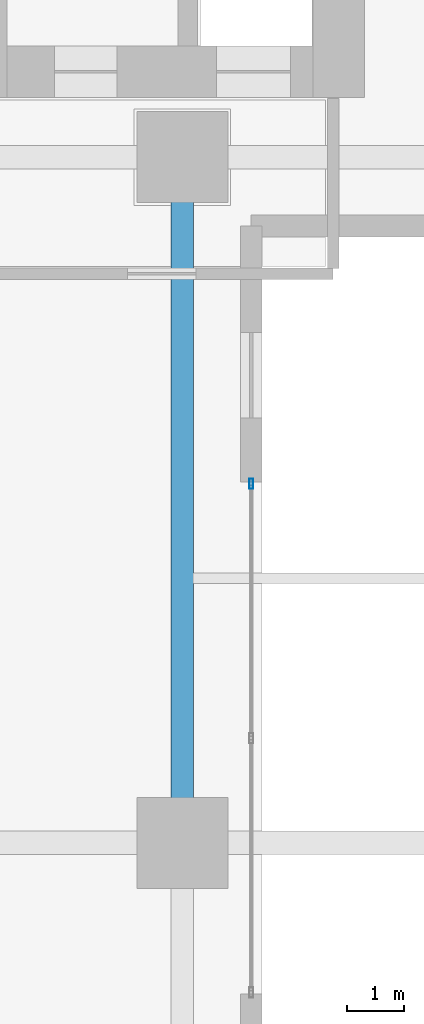
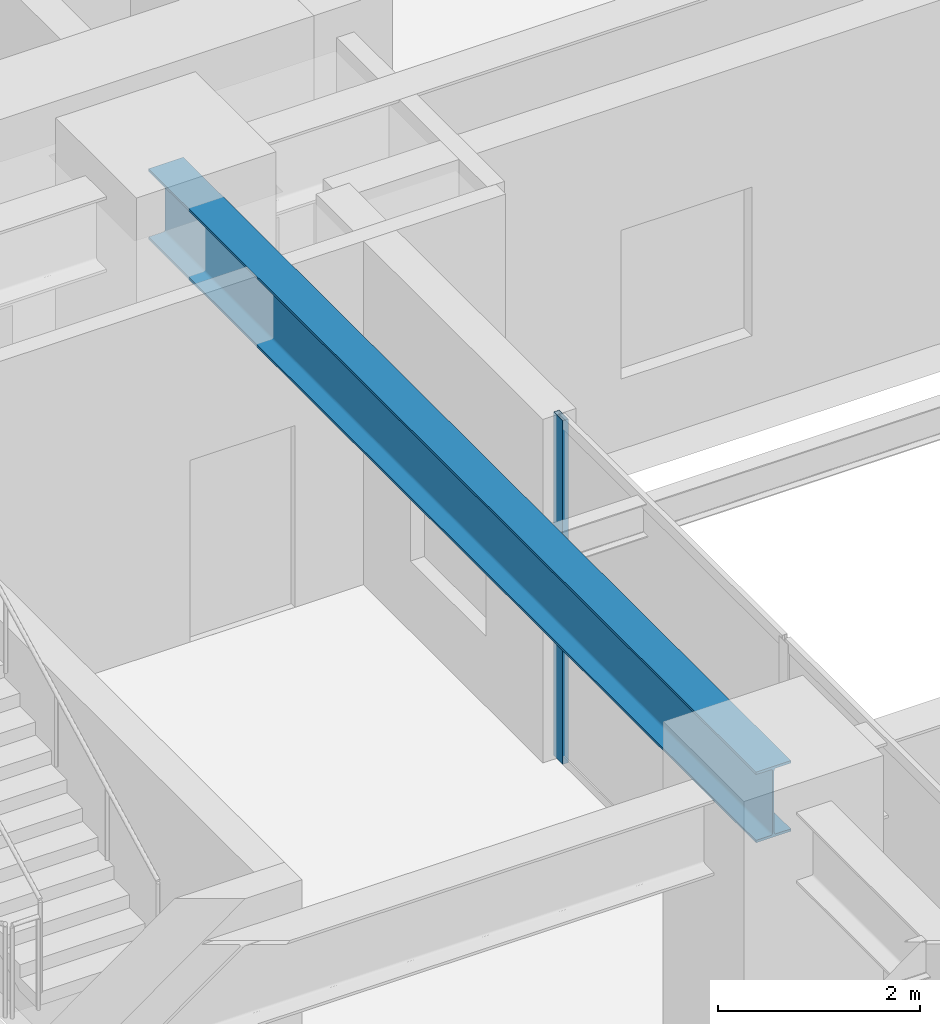
# One storey, part 3 of 28: 1 beam, 1 member, 1 element without a shape of its own.
"""IFC4 building model written with IfcOpenShell, lengths in metres."""

import ifcopenshell
import ifcopenshell.guid

model = None  # the IFC model being written
_history = None  # IfcOwnerHistory: only IFC2X3 demands one
_inside = {}  # id of a spatial element -> (the spatial element, [elements in it])
_under = {}  # id of a project, library or spatial element -> (it, [spatial elements below it])
_declared = {}  # id of a project -> (the project, [libraries it declares])
_typed = {}  # id of a type object -> (the type object, [elements of that type])
_made_of = {}  # id of a material, layer set ... -> (it, [elements and type objects made of it])


def new_model(schema):
    """Start an empty IFC model of exactly this schema.

    Asked for "IFC4X3", IfcOpenShell would pick the latest addendum, in which some entities
    have other attributes; the version numbers below select the first issue.
    IFC2X3 requires an IfcOwnerHistory on every rooted entity: one is made here for all.
    """
    global model, _history
    if schema == "IFC4X3":
        model = ifcopenshell.file(schema_version=(4, 3, 0, 0))
    else:
        model = ifcopenshell.file(schema=schema)
    _inside.clear()
    _under.clear()
    _declared.clear()
    _typed.clear()
    _made_of.clear()
    _history = None
    if model.schema == "IFC2X3":
        org = make("IfcOrganization", Name="unknown")
        user = make(
            "IfcPersonAndOrganization",
            ThePerson=make("IfcPerson", FamilyName="unknown"),
            TheOrganization=org,
        )
        app = make(
            "IfcApplication",
            ApplicationDeveloper=org,
            Version="unknown",
            ApplicationFullName="unknown",
            ApplicationIdentifier="unknown",
        )
        _history = make(
            "IfcOwnerHistory",
            OwningUser=user,
            OwningApplication=app,
            ChangeAction="ADDED",
            CreationDate=0,
        )
    return model


def make(cls, **values):
    """One entity of the class cls with the attributes given. An attribute that is None is left unset."""
    return model.create_entity(
        cls, **{name: value for name, value in values.items() if value is not None}
    )


def rooted(cls, **values):
    """An entity with a GlobalId (a new one), such as an element, a storey or a relation."""
    return make(cls, GlobalId=ifcopenshell.guid.new(), OwnerHistory=_history, **values)


def si_unit(unit_type, name, prefix=None):
    """IfcSIUnit, for example si_unit("LENGTHUNIT", "METRE", prefix="MILLI")."""
    return make("IfcSIUnit", UnitType=unit_type, Prefix=prefix, Name=name)


def assignment(units):
    """IfcUnitAssignment: the units of a project."""
    return None if units is None else make("IfcUnitAssignment", Units=units)


def point(xyz):
    """IfcCartesianPoint."""
    return None if xyz is None else make("IfcCartesianPoint", Coordinates=xyz)


def direction(xyz):
    """IfcDirection."""
    return None if xyz is None else make("IfcDirection", DirectionRatios=xyz)


def frame(location, z_axis=None, x_axis=None):
    """IfcAxis2Placement3D, a coordinate frame: its origin and axes. An axis left out is left unset."""
    return make(
        "IfcAxis2Placement3D",
        Location=point(location),
        Axis=direction(z_axis),
        RefDirection=direction(x_axis),
    )


def frame_2d(location, x_axis=None):
    """IfcAxis2Placement2D, a coordinate frame in the plane: its origin and x axis."""
    return make(
        "IfcAxis2Placement2D", Location=point(location), RefDirection=direction(x_axis)
    )


def origin():
    """The frame at (0, 0, 0) with its axes left unset."""
    return frame((0.0, 0.0, 0.0))


def origin_2d():
    """The frame at (0, 0) in the plane with its x axis left unset."""
    return frame_2d((0.0, 0.0))


def place(relative_to, where):
    """IfcLocalPlacement: puts the frame where relative to a parent placement (None: the world)."""
    return make(
        "IfcLocalPlacement", PlacementRelTo=relative_to, RelativePlacement=where
    )


def context(
    kind, dimensions, precision=None, world=None, true_north=None, identifier=None
):
    """IfcGeometricRepresentationContext, for example the 3D "Model" context."""
    return make(
        "IfcGeometricRepresentationContext",
        ContextIdentifier=identifier,
        ContextType=kind,
        CoordinateSpaceDimension=dimensions,
        Precision=precision,
        WorldCoordinateSystem=world,
        TrueNorth=true_north,
    )


def subcontext(parent, identifier, kind, view, scale=None):
    """IfcGeometricRepresentationSubContext, for example "Body" below "Model"."""
    return make(
        "IfcGeometricRepresentationSubContext",
        ContextIdentifier=identifier,
        ContextType=kind,
        ParentContext=parent,
        TargetScale=scale,
        TargetView=view,
    )


def project(units=None, contexts=None):
    """IfcProject with its units and contexts."""
    return rooted(
        "IfcProject",
        Name="project",
        RepresentationContexts=contexts,
        UnitsInContext=assignment(units),
    )


def spatial(cls, under=None, at=None, **own):
    """A site, building, storey or space (cls), placed at a placement, below another one or the project."""
    s = rooted(cls, ObjectPlacement=at, **own)
    if under is not None:
        _under.setdefault(under.id(), (under, []))[1].append(s)
    return s


def profile(cls, at=None, kind="AREA", **sizes):
    """A parametric profile (cls). Its sizes go by their IFC names, for example OverallWidth=200.0."""
    return make(cls, ProfileType=kind, Position=at, **sizes)


def hollow_rectangle(**sizes):
    """IfcRectangleHollowProfileDef."""
    return profile("IfcRectangleHollowProfileDef", **sizes)


def i_section(**sizes):
    """IfcIShapeProfileDef."""
    return profile("IfcIShapeProfileDef", **sizes)


def extrude(swept, where, along, depth):
    """IfcExtrudedAreaSolid: the profile swept, set in the frame where, extruded along a direction by depth."""
    return make(
        "IfcExtrudedAreaSolid",
        SweptArea=swept,
        Position=where,
        ExtrudedDirection=direction(along),
        Depth=depth,
    )


def shape(context_of_items, identifier, shape_type, items):
    """IfcShapeRepresentation: the items that make up one representation, for example the "Body"."""
    return make(
        "IfcShapeRepresentation",
        ContextOfItems=context_of_items,
        RepresentationIdentifier=identifier,
        RepresentationType=shape_type,
        Items=items,
    )


def source(mapping_origin, context_of_items, identifier, shape_type, items):
    """IfcRepresentationMap: a shape defined once, which mapped items show again and again."""
    return make(
        "IfcRepresentationMap",
        MappingOrigin=mapping_origin,
        MappedRepresentation=shape(context_of_items, identifier, shape_type, items),
    )


def transform(
    local_origin,
    x_axis=None,
    y_axis=None,
    z_axis=None,
    scale=None,
    scale2=None,
    scale3=None,
    uniform=True,
):
    """IfcCartesianTransformationOperator3D, or its non-uniform kind. x_axis, y_axis, z_axis: its Axis1, 2, 3."""
    if uniform:
        return make(
            "IfcCartesianTransformationOperator3D",
            Axis1=direction(x_axis),
            Axis2=direction(y_axis),
            LocalOrigin=point(local_origin),
            Scale=scale,
            Axis3=direction(z_axis),
        )
    return make(
        "IfcCartesianTransformationOperator3DnonUniform",
        Axis1=direction(x_axis),
        Axis2=direction(y_axis),
        LocalOrigin=point(local_origin),
        Scale=scale,
        Axis3=direction(z_axis),
        Scale2=scale2,
        Scale3=scale3,
    )


def mapped(mapping_source, mapping_target):
    """IfcMappedItem: shows the shape of a source again, moved by a transform."""
    return make(
        "IfcMappedItem", MappingSource=mapping_source, MappingTarget=mapping_target
    )


def material(Name=None, Category=None):
    """IfcMaterial."""
    return make("IfcMaterial", Name=Name, Category=Category)


def layer(
    of_material, thickness, ventilated=None, Name=None, Category=None, Priority=None
):
    """IfcMaterialLayer: one layer of a wall or slab, of a material (None: an air gap)."""
    return make(
        "IfcMaterialLayer",
        Material=of_material,
        LayerThickness=thickness,
        IsVentilated=ventilated,
        Name=Name,
        Category=Category,
        Priority=Priority,
    )


def layer_set(layers, Name=None):
    """IfcMaterialLayerSet."""
    return make("IfcMaterialLayerSet", MaterialLayers=layers, LayerSetName=Name)


def material_profile(
    of_material, cross_section, Name=None, Category=None, Priority=None
):
    """IfcMaterialProfile: a cross section and its material."""
    return make(
        "IfcMaterialProfile",
        Name=Name,
        Material=of_material,
        Profile=cross_section,
        Priority=Priority,
        Category=Category,
    )


def profile_set(profiles, Name=None, composite=None):
    """IfcMaterialProfileSet."""
    return make(
        "IfcMaterialProfileSet",
        Name=Name,
        MaterialProfiles=profiles,
        CompositeProfile=composite,
    )


def made_of(thing, what):
    """Note that an element or type object is made of a material, layer set ...; save() writes the relation."""
    if what is not None:
        _made_of.setdefault(what.id(), (what, []))[1].append(thing)
    return thing


def type_object(cls, material=None, **own):
    """A type object (cls), such as IfcWallType, which elements share."""
    return made_of(rooted(cls, **own), material)


def element(
    cls,
    number,
    at=None,
    inside=None,
    cuts=None,
    type_object=None,
    material=None,
    context=None,
    identifier="Body",
    shape_type=None,
    held_by="IfcProductDefinitionShape",
    body=None,
    shapes=None,
    **own,
):
    """One element of the class cls, such as IfcWall. Its Tag is "e" and its number.

    at: its placement. inside: the storey or other place that contains it. cuts: it is an
    opening in that element (IfcRelVoidsElement). A single representation is given by context,
    identifier, shape_type and body (its items); several are given by shapes. held_by: the class
    of the entity that holds the representations. save() writes the other relations.
    """
    e = rooted(cls, Tag="e%d" % number, ObjectPlacement=at, **own)
    if body is not None:
        shapes = [shape(context, identifier, shape_type, body)]
    if shapes is not None:
        e.Representation = make(held_by, Representations=shapes)
    if inside is not None:
        _inside.setdefault(inside.id(), (inside, []))[1].append(e)
    if cuts is not None:
        rooted(
            "IfcRelVoidsElement", RelatingBuildingElement=cuts, RelatedOpeningElement=e
        )
    if type_object is not None:
        _typed.setdefault(type_object.id(), (type_object, []))[1].append(e)
    return made_of(e, material)


def aggregate(whole, parts):
    """IfcRelAggregates: a whole, such as a stair, and the parts it consists of."""
    return rooted("IfcRelAggregates", RelatingObject=whole, RelatedObjects=parts)


def save(model, path):
    """Write the relations noted so far, then the file.

    IfcRelAggregates (storeys below a building ...), IfcRelContainedInSpatialStructure (elements
    in a storey), IfcRelDefinesByType, IfcRelAssociatesMaterial and IfcRelDeclares: one each for
    every whole, place, type object, material and project.
    """
    for whole, parts in _under.values():
        aggregate(whole, parts)
    for where, things in _inside.values():
        rooted(
            "IfcRelContainedInSpatialStructure",
            RelatedElements=things,
            RelatingStructure=where,
        )
    for kind, things in _typed.values():
        rooted("IfcRelDefinesByType", RelatedObjects=things, RelatingType=kind)
    for what, things in _made_of.values():
        rooted("IfcRelAssociatesMaterial", RelatedObjects=things, RelatingMaterial=what)
    for by, libraries in _declared.values():
        rooted("IfcRelDeclares", RelatingContext=by, RelatedDefinitions=libraries)
    model.write(path)


model = new_model("IFC4")

# Units and contexts
model_context = context("Model", 3, precision=1e-05, world=origin(), true_north=direction((0.0, 1.0)))
body_context = subcontext(model_context, "Body", "Model", "MODEL_VIEW")
ifc_project = project(units=[si_unit("LENGTHUNIT", "METRE"), si_unit("AREAUNIT", "SQUARE_METRE"), si_unit("VOLUMEUNIT", "CUBIC_METRE"), si_unit("PLANEANGLEUNIT", "RADIAN"), si_unit("MASSUNIT", "GRAM", prefix="KILO")], contexts=[model_context])

# Site, building, storey
site_placement = place(None, origin())
site = spatial("IfcSite", under=ifc_project, at=site_placement, CompositionType="ELEMENT")
building_placement = place(site_placement, origin())
building = spatial("IfcBuilding", under=site, at=building_placement, Name="Khoralis Quay Care Tower", CompositionType="ELEMENT")
storey_placement = place(building_placement, frame((0.0, 0.0, 9.0)))
storey = spatial("IfcBuildingStorey", under=building, at=storey_placement, Name="L02", CompositionType="ELEMENT", Elevation=9.0)

# Beam
ifc_material_1 = material(Name="Steel S355", Category="steel")
ifc_material_profile_1 = material_profile(ifc_material_1, i_section(OverallWidth=0.39990234375, OverallDepth=0.85498046875, WebThickness=0.018310546875, FlangeThickness=0.029296875, FilletRadius=0.02392578125, at=origin_2d()), Name="Steel S355")
ifc_profile_set_1 = profile_set([ifc_material_profile_1], Name="Steel S355")
beam_type = type_object("IfcBeamType", Name="BM-W840X299", PredefinedType="BEAM", material=ifc_profile_set_1)
shared_shape_1 = source(origin(), body_context, "Body", "SweptSolid", [
    extrude(i_section(OverallWidth=0.39990234375, OverallDepth=0.85498046875, WebThickness=0.018310546875, FlangeThickness=0.029296875, FilletRadius=0.02392578125, at=origin_2d()), origin(), (0.0, 0.0, 1.0), 12.0498046875),
])
beam_placement = place(storey_placement, frame((34.60009765625, 1.35009765625, 3.732421875), z_axis=(0.0, 1.0, 0.0), x_axis=(-1.0, 0.0, 0.0)))
element("IfcBeam", 1, at=beam_placement, inside=storey, type_object=beam_type, Name="BM-PODY-L02-38", PredefinedType="BEAM", context=body_context, shape_type="MappedRepresentation", body=[
    mapped(shared_shape_1, transform((0.0, 0.0, 0.0), scale=1.0)),
])

# Curtain wall, member
ifc_material_2 = material(Name="Pale anodised aluminium", Category="aluminium")
ifc_layer = layer(ifc_material_2, 0.179931640625)
ifc_layer_set = layer_set([ifc_layer], Name="Pale anodised aluminium")
curtain_wall_type = type_object("IfcCurtainWallType", Name="CW-SYS-Z1", PredefinedType="NOTDEFINED", material=ifc_layer_set)
curtain_wall_placement = place(storey_placement, origin())
curtain_wall = element("IfcCurtainWall", 2, at=curtain_wall_placement, inside=storey, type_object=curtain_wall_type, Name="L02 Unitised Curtain Wall CW-POD-L02-E1", PredefinedType="NOTDEFINED")
ifc_material_profile_2 = material_profile(ifc_material_2, hollow_rectangle(XDim=0.06494140625, YDim=0.179931640625, WallThickness=0.00390625, at=origin_2d()), Name="Pale anodised aluminium")
ifc_profile_set_2 = profile_set([ifc_material_profile_2], Name="Pale anodised aluminium")
member_type = type_object("IfcMemberType", Name="CW-MUL-180", PredefinedType="MULLION", material=ifc_profile_set_2)
shared_shape_2 = source(origin(), body_context, "Body", "SweptSolid", [
    extrude(hollow_rectangle(XDim=0.06494140625, YDim=0.179931640625, WallThickness=0.00390625, at=origin_2d()), origin(), (0.0, 0.0, 1.0), 4.159912109375),
])
member_placement = place(storey_placement, frame((35.81005859375, 7.659912109375, 0.0), z_axis=(0.0, 0.0, 1.0), x_axis=(-1.0, 0.0, 0.0)))
member = element("IfcMember", 3, at=member_placement, type_object=member_type, Name="CW1 mullion 3", PredefinedType="MULLION", context=body_context, shape_type="MappedRepresentation", body=[
    mapped(shared_shape_2, transform((0.0, 0.0, 0.0), scale=1.0)),
])
aggregate(curtain_wall, [member])

save(model, "model.ifc")
